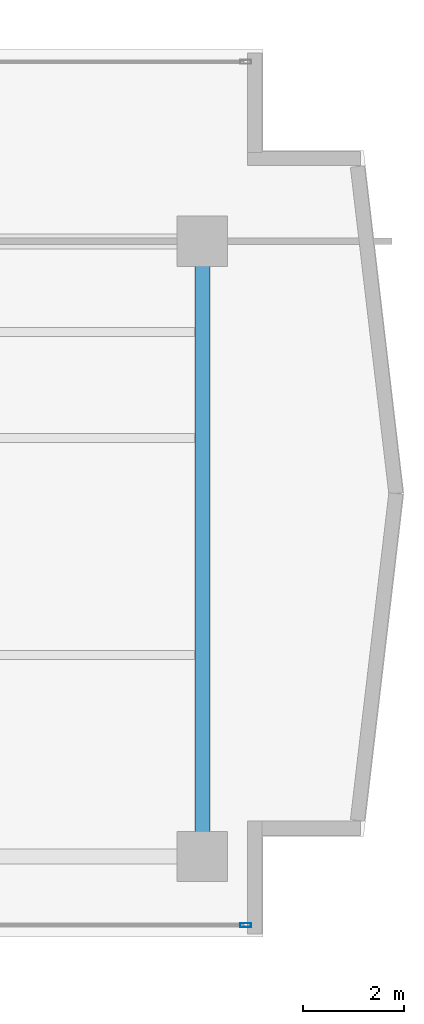
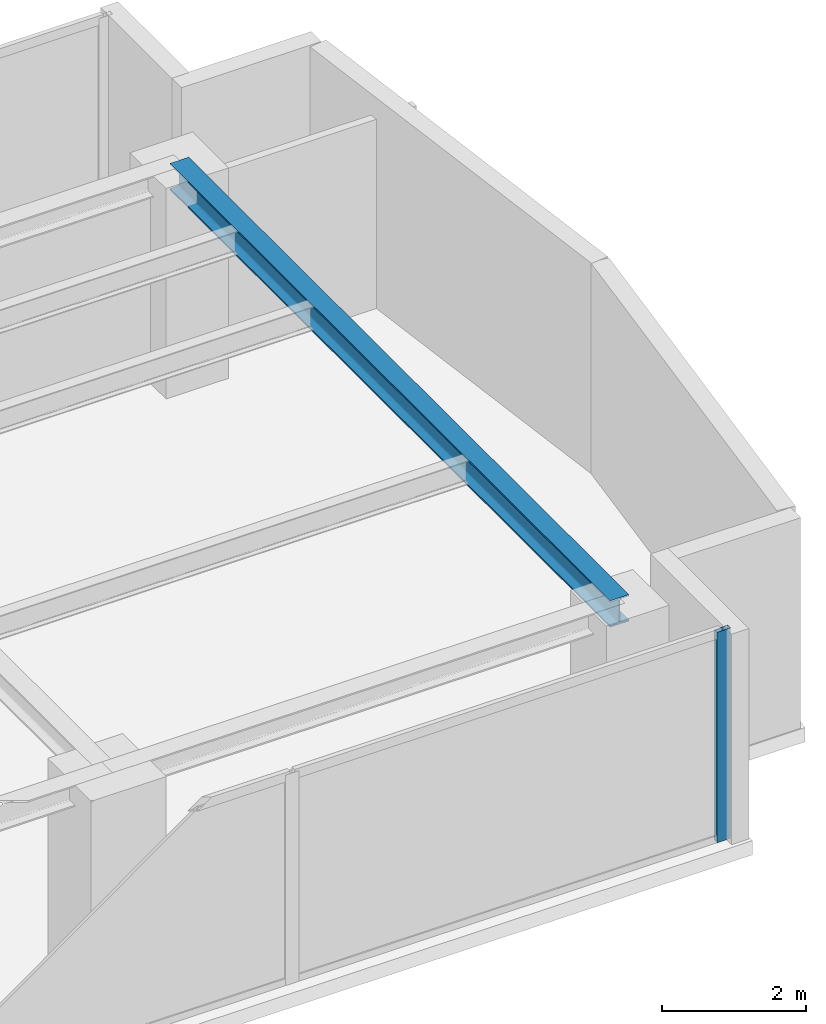
# One storey, part 12 of 24: 1 beam, 1 member, 1 element without a shape of its own.
"""IFC4 building model written with IfcOpenShell, lengths in metres."""

from ifc_helpers import new_model, si_unit, direction, frame, origin, origin_with_axes, origin_2d, place, context, subcontext, project, spatial, hollow_rectangle, i_section, extrude, source, transform, mapped, material, layer, layer_set, material_profile, profile_set, type_object, element, aggregate, save


model = new_model("IFC4")

# Units and contexts
model_context = context("Model", 3, precision=1e-05, world=origin(), true_north=direction((0.0, 1.0)))
body_context = subcontext(model_context, "Body", "Model", "MODEL_VIEW")
ifc_project = project(units=[si_unit("LENGTHUNIT", "METRE"), si_unit("AREAUNIT", "SQUARE_METRE"), si_unit("VOLUMEUNIT", "CUBIC_METRE"), si_unit("PLANEANGLEUNIT", "RADIAN"), si_unit("MASSUNIT", "GRAM", prefix="KILO")], contexts=[model_context])

# Site, building, storey
site_placement = place(None, origin())
site = spatial("IfcSite", under=ifc_project, at=site_placement, CompositionType="ELEMENT")
building_placement = place(site_placement, origin())
building = spatial("IfcBuilding", under=site, at=building_placement, Name="Kolvaren Waterfront Exchange", CompositionType="ELEMENT")
storey_placement = place(building_placement, frame((0.0, 0.0, 157.60009765625)))
storey = spatial("IfcBuildingStorey", under=building, at=storey_placement, Name="L40", CompositionType="ELEMENT", Elevation=157.60009765625)

# Beam
ifc_material_1 = material(Name="Steel S355", Category="steel")
ifc_material_profile_1 = material_profile(ifc_material_1, i_section(OverallWidth=0.300048828125, OverallDepth=0.449951171875, WebThickness=0.013916015625, FlangeThickness=0.02587890625, FilletRadius=0.027099609375, at=origin_2d()), Name="HEB450")
ifc_profile_set_1 = profile_set([ifc_material_profile_1], Name="Steel S355")
beam_type = type_object("IfcBeamType", Name="STR-BM-HEB450", PredefinedType="BEAM", material=ifc_profile_set_1)
beam_placement = place(storey_placement, frame((53.800048828125, 5.199951171875, 3.3349609375), z_axis=(0.0, 1.0, 0.0), x_axis=(-1.0, 0.0, 0.0)))
element("IfcBeam", 1, at=beam_placement, inside=storey, type_object=beam_type, Name="L40 east-arm transverse girder X53", PredefinedType="BEAM", context=body_context, shape_type="SweptSolid", body=[
    extrude(i_section(OverallWidth=0.300048828125, OverallDepth=0.449951171875, WebThickness=0.013916015625, FlangeThickness=0.02587890625, FilletRadius=0.027099609375, at=origin_2d()), origin(), (0.0, 0.0, 1.0), 12.199951171875),
])

# Curtain wall, member
ifc_material_2 = material(Name="Anodised bronze aluminium 6063-T6", Category="aluminium")
ifc_layer = layer(ifc_material_2, 0.219970703125, Name="Anodised bronze aluminium 6063-T6")
ifc_layer_set = layer_set([ifc_layer], Name="Anodised bronze aluminium 6063-T6")
curtain_wall_type = type_object("IfcCurtainWallType", Name="ARC-CW-SYS1", PredefinedType="USERDEFINED", material=ifc_layer_set)
curtain_wall_placement = place(storey_placement, origin())
curtain_wall = element("IfcCurtainWall", 2, at=curtain_wall_placement, inside=storey, type_object=curtain_wall_type, Name="L40 stick curtain wall CW1 (CW-L40-S)", ObjectType="STICK CURTAIN WALL", PredefinedType="USERDEFINED")
ifc_material_3 = material(Name="Anodised aluminium 6063-T6", Category="aluminium")
ifc_material_profile_2 = material_profile(ifc_material_3, hollow_rectangle(XDim=0.080078125, YDim=0.219970703125, WallThickness=0.0048828125, at=origin_2d()), Name="ALU-MUL-220x80x5")
ifc_profile_set_2 = profile_set([ifc_material_profile_2], Name="Anodised aluminium 6063-T6")
member_type = type_object("IfcMemberType", Name="ARC-CWM-220", PredefinedType="MULLION", material=ifc_profile_set_2)
shared_shape = source(origin_with_axes(), body_context, "Body", "SweptSolid", [
    extrude(hollow_rectangle(XDim=0.080078125, YDim=0.219970703125, WallThickness=0.0048828125, at=origin_2d()), origin(), (0.0, 0.0, 1.0), 3.559814453125),
])
member_placement = place(storey_placement, frame((54.659912109375, 3.840087890625, 0.0), z_axis=(0.0, 0.0, 1.0), x_axis=(0.0, 1.0, 0.0)))
member = element("IfcMember", 3, at=member_placement, type_object=member_type, Name="CW1 mullion 8", PredefinedType="MULLION", context=body_context, shape_type="MappedRepresentation", body=[
    mapped(shared_shape, transform((0.0, 0.0, 0.0), x_axis=(1.0, 0.0, 0.0), y_axis=(0.0, 1.0, 0.0), z_axis=(0.0, 0.0, 1.0), scale=1.0)),
])
aggregate(curtain_wall, [member])

save(model, "model.ifc")
